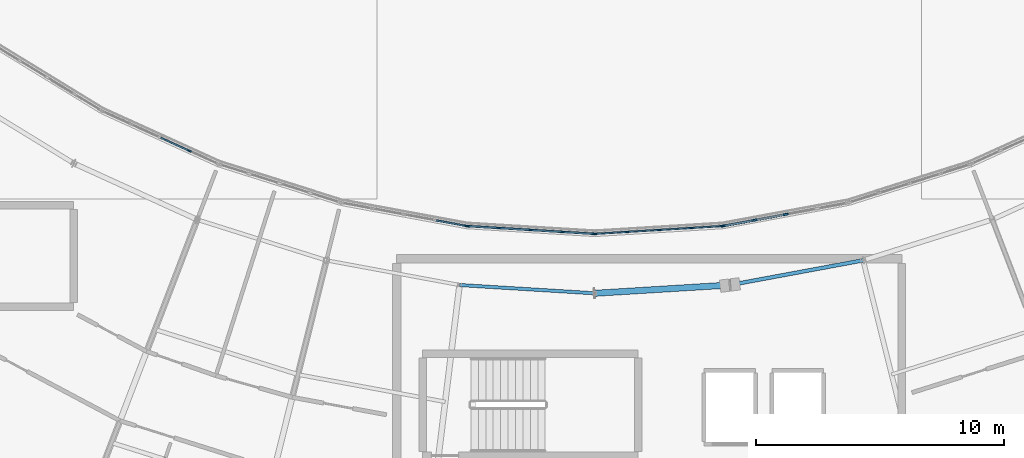
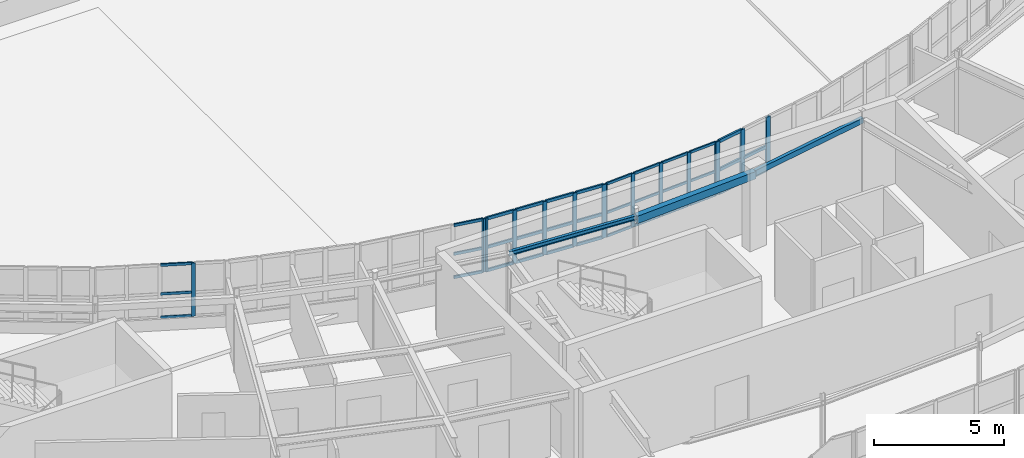
# One storey, part 32 of 128: 50 members, 3 beams, 5 elements without a shape of their own.
"""IFC4 building model written with IfcOpenShell, lengths in metres."""

from ifc_helpers import new_model, si_unit, direction, frame, origin, origin_2d, place, context, subcontext, project, spatial, rectangle, hollow_rectangle, i_section, extrude, material, layer, layer_set, material_profile, profile_set, type_object, element, aggregate, save


model = new_model("IFC4")

# Units and contexts
model_context = context("Model", 3, precision=1e-05, world=origin(), true_north=direction((0.0, 1.0)))
body_context = subcontext(model_context, "Body", "Model", "MODEL_VIEW")
ifc_project = project(units=[si_unit("LENGTHUNIT", "METRE"), si_unit("AREAUNIT", "SQUARE_METRE"), si_unit("VOLUMEUNIT", "CUBIC_METRE"), si_unit("PLANEANGLEUNIT", "RADIAN"), si_unit("MASSUNIT", "GRAM", prefix="KILO")], contexts=[model_context])

# Site, building, storey
site_placement = place(None, origin())
site = spatial("IfcSite", under=ifc_project, at=site_placement, CompositionType="ELEMENT")
building_placement = place(site_placement, origin())
building = spatial("IfcBuilding", under=site, at=building_placement, Name="Tarnwether General Hospital", CompositionType="ELEMENT")
storey_placement = place(building_placement, frame((0.0, 0.0, 14.39990234375)))
storey = spatial("IfcBuildingStorey", under=building, at=storey_placement, Name="L03", CompositionType="ELEMENT", Elevation=14.39990234375)

# Beams
ifc_material_1 = material(Name="Steel Grade 350 (350 MPa)", Category="steel")
ifc_material_profile_1 = material_profile(ifc_material_1, i_section(OverallWidth=0.133056640625, OverallDepth=0.201904296875, WebThickness=0.0048828125, FlangeThickness=0.007080078125, at=origin_2d()), Name="200UB22.3")
ifc_profile_set_1 = profile_set([ifc_material_profile_1], Name="Steel Grade 350 (350 MPa)")
beam_type_1 = type_object("IfcBeamType", Name="BM-SP6", PredefinedType="SPANDREL", material=ifc_profile_set_1)
beam_1_placement = place(storey_placement, frame((86.5400390625, 18.533935546875, 3.458984375), z_axis=(0.998134365538, -0.061055616708, 0.0), x_axis=(0.061055616708, 0.998134365538, 0.0)))
element("IfcBeam", 1, at=beam_1_placement, inside=storey, type_object=beam_type_1, Name="Curved Ward SE Inner Spandrel BMG-L03-8654_1853-9200_1820-2118", PredefinedType="SPANDREL", context=body_context, shape_type="SweptSolid", body=[
    extrude(i_section(OverallWidth=0.133056640625, OverallDepth=0.201904296875, WebThickness=0.0048828125, FlangeThickness=0.007080078125, at=origin_2d()), origin(), (0.0, 0.0, 1.0), 5.47021484375),
])
ifc_material_2 = material(Name="Steel Grade C350L0 (350 MPa)", Category="steel")
ifc_material_profile_2 = material_profile(ifc_material_2, hollow_rectangle(XDim=0.25, YDim=0.35009765625, WallThickness=0.012451171875, at=origin_2d()), Name="RHS350x250x12.5")
ifc_profile_set_2 = profile_set([ifc_material_profile_2], Name="Steel Grade C350L0 (350 MPa)")
beam_type_2 = type_object("IfcBeamType", Name="BM-SP7", PredefinedType="SPANDREL", material=ifc_profile_set_2)
beam_2_placement = place(storey_placement, frame((92.0, 18.199951171875, 3.385009765625), z_axis=(0.998134365538, 0.061055616708, 0.0), x_axis=(-0.061055616708, 0.998134365538, 0.0)))
element("IfcBeam", 2, at=beam_2_placement, inside=storey, type_object=beam_type_2, Name="Curved Ward SE Inner Spandrel BMG-L03-9200_1820-9746_1853-2120", PredefinedType="SPANDREL", context=body_context, shape_type="SweptSolid", body=[
    extrude(hollow_rectangle(XDim=0.25, YDim=0.35009765625, WallThickness=0.012451171875, at=origin_2d()), origin(), (0.0, 0.0, 1.0), 5.47021484375),
])
ifc_material_3 = material(Name="Steel Grade C350L0 (350 MPa)", Category="steel")
ifc_material_profile_3 = material_profile(ifc_material_3, hollow_rectangle(XDim=0.14990234375, YDim=0.25, WallThickness=0.008056640625, at=origin_2d()), Name="RHS250x150x8")
ifc_profile_set_3 = profile_set([ifc_material_profile_3], Name="Steel Grade C350L0 (350 MPa)")
beam_type_3 = type_object("IfcBeamType", Name="BM-SP8", PredefinedType="SPANDREL", material=ifc_profile_set_3)
beam_3_placement = place(storey_placement, frame((97.4599609375, 18.533935546875, 3.43505859375), z_axis=(0.983244096291, 0.18229384825, 0.0), x_axis=(-0.18229384825, 0.983244096291, 0.0)))
element("IfcBeam", 3, at=beam_3_placement, inside=storey, type_object=beam_type_3, Name="Curved Ward SE Inner Spandrel BMG-L03-9746_1853-10284_1953-2122", PredefinedType="SPANDREL", context=body_context, shape_type="SweptSolid", body=[
    extrude(hollow_rectangle(XDim=0.14990234375, YDim=0.25, WallThickness=0.008056640625, at=origin_2d()), origin(), (0.0, 0.0, 1.0), 5.469482421875),
])

# Curtain wall, members
ifc_material_4 = material(Name="Anodised aluminium", Category="aluminium")
ifc_layer = layer(ifc_material_4, 0.159912109375)
ifc_layer_set = layer_set([ifc_layer], Name="Anodised aluminium")
curtain_wall_type = type_object("IfcCurtainWallType", Name="CW-04", PredefinedType="NOTDEFINED", material=ifc_layer_set)
curtain_wall_1_placement = place(storey_placement, origin())
curtain_wall_1 = element("IfcCurtainWall", 4, at=curtain_wall_1_placement, inside=storey, type_object=curtain_wall_type, Name="Curtain Wall CWG-L03-920_206-0174", PredefinedType="NOTDEFINED")
ifc_material_5 = material(Name="Anodised aluminium", Category="aluminium")
ifc_material_profile_4 = material_profile(ifc_material_5, rectangle(XDim=0.06005859375, YDim=0.159912109375, at=origin_2d()), Name="ALU-MUL-60x160")
ifc_profile_set_4 = profile_set([ifc_material_profile_4], Name="Anodised aluminium")
member_type_1 = type_object("IfcMemberType", Name="CW-ML1", PredefinedType="MULLION", material=ifc_profile_set_4)
member_1_placement = place(storey_placement, frame((92.030029296875, 20.601806640625, 1.050048828125), z_axis=(0.0, 0.0, 1.0), x_axis=(-0.06104329354, 0.998135119267, 0.0)))
member_1 = element("IfcMember", 5, at=member_1_placement, type_object=member_type_1, Name="CW-04 mullion 1", PredefinedType="MULLION", context=body_context, shape_type="SweptSolid", body=[
    extrude(rectangle(XDim=0.06005859375, YDim=0.159912109375, at=origin_2d()), origin(), (0.0, 0.0, 1.0), 2.510009765625),
])
member_2_placement = place(storey_placement, frame((93.291748046875, 20.678955078125, 1.050048828125), z_axis=(0.0, 0.0, 1.0), x_axis=(-0.06104329354, 0.998135119267, 0.0)))
member_2 = element("IfcMember", 6, at=member_2_placement, type_object=member_type_1, Name="CW-04 mullion 2", PredefinedType="MULLION", context=body_context, shape_type="SweptSolid", body=[
    extrude(rectangle(XDim=0.06005859375, YDim=0.159912109375, at=origin_2d()), origin(), (0.0, 0.0, 1.0), 2.510009765625),
])
member_3_placement = place(storey_placement, frame((94.58349609375, 20.758056640625, 1.050048828125), z_axis=(0.0, 0.0, 1.0), x_axis=(-0.06104329354, 0.998135119267, 0.0)))
member_3 = element("IfcMember", 7, at=member_3_placement, type_object=member_type_1, Name="CW-04 mullion 3", PredefinedType="MULLION", context=body_context, shape_type="SweptSolid", body=[
    extrude(rectangle(XDim=0.06005859375, YDim=0.159912109375, at=origin_2d()), origin(), (0.0, 0.0, 1.0), 2.510009765625),
])
member_4_placement = place(storey_placement, frame((95.875244140625, 20.8369140625, 1.050048828125), z_axis=(0.0, 0.0, 1.0), x_axis=(-0.06104329354, 0.998135119267, 0.0)))
member_4 = element("IfcMember", 8, at=member_4_placement, type_object=member_type_1, Name="CW-04 mullion 4", PredefinedType="MULLION", context=body_context, shape_type="SweptSolid", body=[
    extrude(rectangle(XDim=0.06005859375, YDim=0.159912109375, at=origin_2d()), origin(), (0.0, 0.0, 1.0), 2.510009765625),
])
member_5_placement = place(storey_placement, frame((97.136962890625, 20.9140625, 1.050048828125), z_axis=(0.0, 0.0, 1.0), x_axis=(-0.06104329354, 0.998135119267, 0.0)))
member_5 = element("IfcMember", 9, at=member_5_placement, type_object=member_type_1, Name="CW-04 mullion 5", PredefinedType="MULLION", context=body_context, shape_type="SweptSolid", body=[
    extrude(rectangle(XDim=0.06005859375, YDim=0.159912109375, at=origin_2d()), origin(), (0.0, 0.0, 1.0), 2.510009765625),
])

# Curtain wall, member
curtain_wall_2_placement = place(storey_placement, origin())
curtain_wall_2 = element("IfcCurtainWall", 10, at=curtain_wall_2_placement, inside=storey, type_object=curtain_wall_type, Name="Curtain Wall CWG-L03-721_256-0178", PredefinedType="NOTDEFINED")
member_6_placement = place(storey_placement, frame((75.627197265625, 23.95263671875, 1.050048828125), z_axis=(0.0, 0.0, 1.0), x_axis=(0.41470501572, 0.90995590549, 0.0)))
member_6 = element("IfcMember", 11, at=member_6_placement, type_object=member_type_1, Name="CW-04 mullion 4", PredefinedType="MULLION", context=body_context, shape_type="SweptSolid", body=[
    extrude(rectangle(XDim=0.06005859375, YDim=0.159912109375, at=origin_2d()), origin(), (0.0, 0.0, 1.0), 2.510009765625),
])

# Curtain wall, members
curtain_wall_3_placement = place(storey_placement, origin())
curtain_wall_3 = element("IfcCurtainWall", 12, at=curtain_wall_3_placement, inside=storey, type_object=curtain_wall_type, Name="Curtain Wall CWG-L03-868_209-0175", PredefinedType="NOTDEFINED")
ifc_material_6 = material(Name="Anodised aluminium", Category="aluminium")
ifc_material_profile_5 = material_profile(ifc_material_6, rectangle(XDim=0.070068359375, YDim=0.179931640625, at=origin_2d()), Name="ALU-MUL-70x180")
ifc_profile_set_5 = profile_set([ifc_material_profile_5], Name="Anodised aluminium")
member_type_2 = type_object("IfcMemberType", Name="CW-ML2", PredefinedType="MULLION", material=ifc_profile_set_5)
member_7_placement = place(storey_placement, frame((86.867919921875, 20.913818359375, 1.050048828125), z_axis=(0.0, 0.0, 1.0), x_axis=(0.06104329354, 0.998135119267, 0.0)))
member_7 = element("IfcMember", 13, at=member_7_placement, type_object=member_type_2, Name="CW-04 mullion 1", PredefinedType="MULLION", context=body_context, shape_type="SweptSolid", body=[
    extrude(rectangle(XDim=0.070068359375, YDim=0.179931640625, at=origin_2d()), origin(), (0.0, 0.0, 1.0), 2.510009765625),
])
member_8_placement = place(storey_placement, frame((88.124755859375, 20.8369140625, 1.050048828125), z_axis=(0.0, 0.0, 1.0), x_axis=(0.06104329354, 0.998135119267, 0.0)))
member_8 = element("IfcMember", 14, at=member_8_placement, type_object=member_type_2, Name="CW-04 mullion 2", PredefinedType="MULLION", context=body_context, shape_type="SweptSolid", body=[
    extrude(rectangle(XDim=0.070068359375, YDim=0.179931640625, at=origin_2d()), origin(), (0.0, 0.0, 1.0), 2.510009765625),
])
member_9_placement = place(storey_placement, frame((89.41650390625, 20.758056640625, 1.050048828125), z_axis=(0.0, 0.0, 1.0), x_axis=(0.06104329354, 0.998135119267, 0.0)))
member_9 = element("IfcMember", 15, at=member_9_placement, type_object=member_type_2, Name="CW-04 mullion 3", PredefinedType="MULLION", context=body_context, shape_type="SweptSolid", body=[
    extrude(rectangle(XDim=0.070068359375, YDim=0.179931640625, at=origin_2d()), origin(), (0.0, 0.0, 1.0), 2.510009765625),
])
member_10_placement = place(storey_placement, frame((90.708251953125, 20.678955078125, 1.050048828125), z_axis=(0.0, 0.0, 1.0), x_axis=(0.06104329354, 0.998135119267, 0.0)))
member_10 = element("IfcMember", 16, at=member_10_placement, type_object=member_type_2, Name="CW-04 mullion 4", PredefinedType="MULLION", context=body_context, shape_type="SweptSolid", body=[
    extrude(rectangle(XDim=0.070068359375, YDim=0.179931640625, at=origin_2d()), origin(), (0.0, 0.0, 1.0), 2.510009765625),
])
member_11_placement = place(storey_placement, frame((91.965087890625, 20.60205078125, 1.050048828125), z_axis=(0.0, 0.0, 1.0), x_axis=(0.06104329354, 0.998135119267, 0.0)))
member_11 = element("IfcMember", 17, at=member_11_placement, type_object=member_type_2, Name="CW-04 mullion 5", PredefinedType="MULLION", context=body_context, shape_type="SweptSolid", body=[
    extrude(rectangle(XDim=0.070068359375, YDim=0.179931640625, at=origin_2d()), origin(), (0.0, 0.0, 1.0), 2.510009765625),
])

# Curtain wall, member
curtain_wall_4_placement = place(storey_placement, origin())
curtain_wall_4 = element("IfcCurtainWall", 18, at=curtain_wall_4_placement, inside=storey, type_object=curtain_wall_type, Name="Curtain Wall CWG-L03-817_219-0176", PredefinedType="NOTDEFINED")
ifc_material_7 = material(Name="Anodised aluminium", Category="aluminium")
ifc_material_profile_6 = material_profile(ifc_material_7, rectangle(XDim=0.06494140625, YDim=0.169921875, at=origin_2d()), Name="ALU-MUL-65x170")
ifc_profile_set_6 = profile_set([ifc_material_profile_6], Name="Anodised aluminium")
member_type_3 = type_object("IfcMemberType", Name="CW-ML3", PredefinedType="MULLION", material=ifc_profile_set_6)
member_12_placement = place(storey_placement, frame((86.801025390625, 20.921875, 1.050048828125), z_axis=(0.0, 0.0, 1.0), x_axis=(0.182165351666, 0.983267910924, 0.0)))
member_12 = element("IfcMember", 19, at=member_12_placement, type_object=member_type_3, Name="CW-04 mullion 5", PredefinedType="MULLION", context=body_context, shape_type="SweptSolid", body=[
    extrude(rectangle(XDim=0.06494140625, YDim=0.169921875, at=origin_2d()), origin(), (0.0, 0.0, 1.0), 2.510009765625),
])

# Curtain wall, members
curtain_wall_5_placement = place(storey_placement, origin())
curtain_wall_5 = element("IfcCurtainWall", 20, at=curtain_wall_5_placement, inside=storey, type_object=curtain_wall_type, Name="Curtain Wall CWG-L03-972_209-0173", PredefinedType="NOTDEFINED")
ifc_material_8 = material(Name="Anodised aluminium", Category="aluminium")
ifc_material_profile_7 = material_profile(ifc_material_8, rectangle(XDim=0.080078125, YDim=0.199951171875, at=origin_2d()), Name="ALU-MUL-80x200")
ifc_profile_set_7 = profile_set([ifc_material_profile_7], Name="Anodised aluminium")
member_type_4 = type_object("IfcMemberType", Name="CW-ML4", PredefinedType="MULLION", material=ifc_profile_set_7)
member_13_placement = place(storey_placement, frame((97.206298828125, 20.92333984375, 1.050048828125), z_axis=(0.0, 0.0, 1.0), x_axis=(-0.182165351666, 0.983267910924, 0.0)))
member_13 = element("IfcMember", 21, at=member_13_placement, type_object=member_type_4, Name="CW-04 mullion 1", PredefinedType="MULLION", context=body_context, shape_type="SweptSolid", body=[
    extrude(rectangle(XDim=0.080078125, YDim=0.199951171875, at=origin_2d()), origin(), (0.0, 0.0, 1.0), 2.510009765625),
])
member_14_placement = place(storey_placement, frame((98.439453125, 21.15185546875, 1.050048828125), z_axis=(0.0, 0.0, 1.0), x_axis=(-0.182165351666, 0.983267910924, 0.0)))
member_14 = element("IfcMember", 22, at=member_14_placement, type_object=member_type_4, Name="CW-04 mullion 2", PredefinedType="MULLION", context=body_context, shape_type="SweptSolid", body=[
    extrude(rectangle(XDim=0.080078125, YDim=0.199951171875, at=origin_2d()), origin(), (0.0, 0.0, 1.0), 2.510009765625),
])
member_15_placement = place(storey_placement, frame((99.7119140625, 21.387451171875, 1.050048828125), z_axis=(0.0, 0.0, 1.0), x_axis=(-0.182165351666, 0.983267910924, 0.0)))
member_15 = element("IfcMember", 23, at=member_15_placement, type_object=member_type_4, Name="CW-04 mullion 3", PredefinedType="MULLION", context=body_context, shape_type="SweptSolid", body=[
    extrude(rectangle(XDim=0.080078125, YDim=0.199951171875, at=origin_2d()), origin(), (0.0, 0.0, 1.0), 2.510009765625),
])

# Member
ifc_material_9 = material(Name="Anodised aluminium", Category="aluminium")
ifc_material_profile_8 = material_profile(ifc_material_9, rectangle(XDim=0.06005859375, YDim=0.1201171875, at=origin_2d()), Name="ALU-TRN-60x120")
ifc_profile_set_8 = profile_set([ifc_material_profile_8], Name="Anodised aluminium")
member_type_5 = type_object("IfcMemberType", Name="CW-TR1", PredefinedType="USERDEFINED", material=ifc_profile_set_8)
member_16_placement = place(storey_placement, frame((92.059814453125, 20.603759765625, 1.080078125), z_axis=(0.998136077867, 0.061027617192, 0.0), x_axis=(-0.061027617192, 0.998136077867, 0.0)))
member_16 = element("IfcMember", 24, at=member_16_placement, type_object=member_type_5, Name="CW-04 transom 1.1", ObjectType="TRANSOM", PredefinedType="USERDEFINED", context=body_context, shape_type="SweptSolid", body=[
    extrude(rectangle(XDim=0.06005859375, YDim=0.1201171875, at=origin_2d()), origin(), (0.0, 0.0, 1.0), 1.2041015625),
])

member_17_placement = place(storey_placement, frame((92.059814453125, 20.603759765625, 2.1796875), z_axis=(0.998136077867, 0.061027617192, 0.0), x_axis=(-0.061027617192, 0.998136077867, 0.0)))
member_17 = element("IfcMember", 25, at=member_17_placement, type_object=member_type_5, Name="CW-04 transom 1.2", ObjectType="TRANSOM", PredefinedType="USERDEFINED", context=body_context, shape_type="SweptSolid", body=[
    extrude(rectangle(XDim=0.06005859375, YDim=0.1201171875, at=origin_2d()), origin(), (0.0, 0.0, 1.0), 1.2041015625),
])

member_18_placement = place(storey_placement, frame((92.059814453125, 20.603759765625, 3.530029296875), z_axis=(0.998136077867, 0.061027617192, 0.0), x_axis=(-0.061027617192, 0.998136077867, 0.0)))
member_18 = element("IfcMember", 26, at=member_18_placement, type_object=member_type_5, Name="CW-04 transom 1.3", ObjectType="TRANSOM", PredefinedType="USERDEFINED", context=body_context, shape_type="SweptSolid", body=[
    extrude(rectangle(XDim=0.06005859375, YDim=0.1201171875, at=origin_2d()), origin(), (0.0, 0.0, 1.0), 1.2041015625),
])

member_19_placement = place(storey_placement, frame((93.32177734375, 20.680908203125, 1.080078125), z_axis=(0.998141608765, 0.060937089296, 0.0), x_axis=(-0.060937089296, 0.998141608765, 0.0)))
member_19 = element("IfcMember", 27, at=member_19_placement, type_object=member_type_5, Name="CW-04 transom 2.1", ObjectType="TRANSOM", PredefinedType="USERDEFINED", context=body_context, shape_type="SweptSolid", body=[
    extrude(rectangle(XDim=0.06005859375, YDim=0.1201171875, at=origin_2d()), origin(), (0.0, 0.0, 1.0), 1.23388671875),
])

member_20_placement = place(storey_placement, frame((93.32177734375, 20.680908203125, 2.1796875), z_axis=(0.998141608765, 0.060937089296, 0.0), x_axis=(-0.060937089296, 0.998141608765, 0.0)))
member_20 = element("IfcMember", 28, at=member_20_placement, type_object=member_type_5, Name="CW-04 transom 2.2", ObjectType="TRANSOM", PredefinedType="USERDEFINED", context=body_context, shape_type="SweptSolid", body=[
    extrude(rectangle(XDim=0.06005859375, YDim=0.1201171875, at=origin_2d()), origin(), (0.0, 0.0, 1.0), 1.23388671875),
])

member_21_placement = place(storey_placement, frame((93.32177734375, 20.680908203125, 3.530029296875), z_axis=(0.998141608765, 0.060937089296, 0.0), x_axis=(-0.060937089296, 0.998141608765, 0.0)))
member_21 = element("IfcMember", 29, at=member_21_placement, type_object=member_type_5, Name="CW-04 transom 2.3", ObjectType="TRANSOM", PredefinedType="USERDEFINED", context=body_context, shape_type="SweptSolid", body=[
    extrude(rectangle(XDim=0.06005859375, YDim=0.1201171875, at=origin_2d()), origin(), (0.0, 0.0, 1.0), 1.23388671875),
])

member_22_placement = place(storey_placement, frame((94.613525390625, 20.759765625, 1.080078125), z_axis=(0.998129555591, 0.061134198747, 0.0), x_axis=(-0.061134198747, 0.998129555591, 0.0)))
member_22 = element("IfcMember", 30, at=member_22_placement, type_object=member_type_5, Name="CW-04 transom 3.1", ObjectType="TRANSOM", PredefinedType="USERDEFINED", context=body_context, shape_type="SweptSolid", body=[
    extrude(rectangle(XDim=0.06005859375, YDim=0.1201171875, at=origin_2d()), origin(), (0.0, 0.0, 1.0), 1.23388671875),
])

member_23_placement = place(storey_placement, frame((94.613525390625, 20.759765625, 2.1796875), z_axis=(0.998129555591, 0.061134198747, 0.0), x_axis=(-0.061134198747, 0.998129555591, 0.0)))
member_23 = element("IfcMember", 31, at=member_23_placement, type_object=member_type_5, Name="CW-04 transom 3.2", ObjectType="TRANSOM", PredefinedType="USERDEFINED", context=body_context, shape_type="SweptSolid", body=[
    extrude(rectangle(XDim=0.06005859375, YDim=0.1201171875, at=origin_2d()), origin(), (0.0, 0.0, 1.0), 1.23388671875),
])

member_24_placement = place(storey_placement, frame((94.613525390625, 20.759765625, 3.530029296875), z_axis=(0.998129555591, 0.061134198747, 0.0), x_axis=(-0.061134198747, 0.998129555591, 0.0)))
member_24 = element("IfcMember", 32, at=member_24_placement, type_object=member_type_5, Name="CW-04 transom 3.3", ObjectType="TRANSOM", PredefinedType="USERDEFINED", context=body_context, shape_type="SweptSolid", body=[
    extrude(rectangle(XDim=0.06005859375, YDim=0.1201171875, at=origin_2d()), origin(), (0.0, 0.0, 1.0), 1.23388671875),
])

member_25_placement = place(storey_placement, frame((95.9052734375, 20.8388671875, 1.080078125), z_axis=(0.998136077867, 0.061027617192, 0.0), x_axis=(-0.061027617192, 0.998136077867, 0.0)))
member_25 = element("IfcMember", 33, at=member_25_placement, type_object=member_type_5, Name="CW-04 transom 4.1", ObjectType="TRANSOM", PredefinedType="USERDEFINED", context=body_context, shape_type="SweptSolid", body=[
    extrude(rectangle(XDim=0.06005859375, YDim=0.1201171875, at=origin_2d()), origin(), (0.0, 0.0, 1.0), 1.2041015625),
])

member_26_placement = place(storey_placement, frame((95.9052734375, 20.8388671875, 2.1796875), z_axis=(0.998136077867, 0.061027617192, 0.0), x_axis=(-0.061027617192, 0.998136077867, 0.0)))
member_26 = element("IfcMember", 34, at=member_26_placement, type_object=member_type_5, Name="CW-04 transom 4.2", ObjectType="TRANSOM", PredefinedType="USERDEFINED", context=body_context, shape_type="SweptSolid", body=[
    extrude(rectangle(XDim=0.06005859375, YDim=0.1201171875, at=origin_2d()), origin(), (0.0, 0.0, 1.0), 1.2041015625),
])

member_27_placement = place(storey_placement, frame((95.9052734375, 20.8388671875, 3.530029296875), z_axis=(0.998136077867, 0.061027617192, 0.0), x_axis=(-0.061027617192, 0.998136077867, 0.0)))
member_27 = element("IfcMember", 35, at=member_27_placement, type_object=member_type_5, Name="CW-04 transom 4.3", ObjectType="TRANSOM", PredefinedType="USERDEFINED", context=body_context, shape_type="SweptSolid", body=[
    extrude(rectangle(XDim=0.06005859375, YDim=0.1201171875, at=origin_2d()), origin(), (0.0, 0.0, 1.0), 1.2041015625),
])

aggregate(curtain_wall_1, [member_1, member_2, member_3, member_4, member_5, member_16, member_17, member_18, member_19, member_20, member_21, member_22, member_23, member_24, member_25, member_26, member_27])

member_28_placement = place(storey_placement, frame((74.476806640625, 24.47705078125, 1.080078125), z_axis=(0.909912057704, -0.414801214132, 0.0), x_axis=(0.414801214132, 0.909912057704, 0.0)))
member_28 = element("IfcMember", 36, at=member_28_placement, type_object=member_type_5, Name="CW-04 transom 3.1", ObjectType="TRANSOM", PredefinedType="USERDEFINED", context=body_context, shape_type="SweptSolid", body=[
    extrude(rectangle(XDim=0.06005859375, YDim=0.1201171875, at=origin_2d()), origin(), (0.0, 0.0, 1.0), 1.234130859375),
])

member_29_placement = place(storey_placement, frame((74.476806640625, 24.47705078125, 2.1796875), z_axis=(0.909912057704, -0.414801214132, 0.0), x_axis=(0.414801214132, 0.909912057704, 0.0)))
member_29 = element("IfcMember", 37, at=member_29_placement, type_object=member_type_5, Name="CW-04 transom 3.2", ObjectType="TRANSOM", PredefinedType="USERDEFINED", context=body_context, shape_type="SweptSolid", body=[
    extrude(rectangle(XDim=0.06005859375, YDim=0.1201171875, at=origin_2d()), origin(), (0.0, 0.0, 1.0), 1.234130859375),
])

member_30_placement = place(storey_placement, frame((74.476806640625, 24.47705078125, 3.530029296875), z_axis=(0.909912057704, -0.414801214132, 0.0), x_axis=(0.414801214132, 0.909912057704, 0.0)))
member_30 = element("IfcMember", 38, at=member_30_placement, type_object=member_type_5, Name="CW-04 transom 3.3", ObjectType="TRANSOM", PredefinedType="USERDEFINED", context=body_context, shape_type="SweptSolid", body=[
    extrude(rectangle(XDim=0.06005859375, YDim=0.1201171875, at=origin_2d()), origin(), (0.0, 0.0, 1.0), 1.234130859375),
])

aggregate(curtain_wall_2, [member_6, member_28, member_29, member_30])

ifc_material_10 = material(Name="Anodised aluminium", Category="aluminium")
ifc_material_profile_9 = material_profile(ifc_material_10, rectangle(XDim=0.070068359375, YDim=0.139892578125, at=origin_2d()), Name="ALU-TRN-70x140")
ifc_profile_set_9 = profile_set([ifc_material_profile_9], Name="Anodised aluminium")
member_type_6 = type_object("IfcMemberType", Name="CW-TR2", PredefinedType="USERDEFINED", material=ifc_profile_set_9)
member_31_placement = place(storey_placement, frame((86.90283203125, 20.91162109375, 1.085205078125), z_axis=(0.9981394573, -0.06097231979, 0.0), x_axis=(0.06097231979, 0.9981394573, 0.0)))
member_31 = element("IfcMember", 39, at=member_31_placement, type_object=member_type_6, Name="CW-04 transom 1.1", ObjectType="TRANSOM", PredefinedType="USERDEFINED", context=body_context, shape_type="SweptSolid", body=[
    extrude(rectangle(XDim=0.070068359375, YDim=0.139892578125, at=origin_2d()), origin(), (0.0, 0.0, 1.0), 1.189208984375),
])

member_32_placement = place(storey_placement, frame((86.90283203125, 20.91162109375, 2.1796875), z_axis=(0.9981394573, -0.06097231979, 0.0), x_axis=(0.06097231979, 0.9981394573, 0.0)))
member_32 = element("IfcMember", 40, at=member_32_placement, type_object=member_type_6, Name="CW-04 transom 1.2", ObjectType="TRANSOM", PredefinedType="USERDEFINED", context=body_context, shape_type="SweptSolid", body=[
    extrude(rectangle(XDim=0.070068359375, YDim=0.139892578125, at=origin_2d()), origin(), (0.0, 0.0, 1.0), 1.189208984375),
])

member_33_placement = place(storey_placement, frame((86.90283203125, 20.91162109375, 3.525146484375), z_axis=(0.9981394573, -0.06097231979, 0.0), x_axis=(0.06097231979, 0.9981394573, 0.0)))
member_33 = element("IfcMember", 41, at=member_33_placement, type_object=member_type_6, Name="CW-04 transom 1.3", ObjectType="TRANSOM", PredefinedType="USERDEFINED", context=body_context, shape_type="SweptSolid", body=[
    extrude(rectangle(XDim=0.070068359375, YDim=0.139892578125, at=origin_2d()), origin(), (0.0, 0.0, 1.0), 1.189208984375),
])

member_34_placement = place(storey_placement, frame((88.15966796875, 20.8349609375, 1.085205078125), z_axis=(0.998136243192, -0.06102491317, 0.0), x_axis=(0.06102491317, 0.998136243192, 0.0)))
member_34 = element("IfcMember", 42, at=member_34_placement, type_object=member_type_6, Name="CW-04 transom 2.1", ObjectType="TRANSOM", PredefinedType="USERDEFINED", context=body_context, shape_type="SweptSolid", body=[
    extrude(rectangle(XDim=0.070068359375, YDim=0.139892578125, at=origin_2d()), origin(), (0.0, 0.0, 1.0), 1.22412109375),
])

member_35_placement = place(storey_placement, frame((88.15966796875, 20.8349609375, 2.1796875), z_axis=(0.998136243192, -0.06102491317, 0.0), x_axis=(0.06102491317, 0.998136243192, 0.0)))
member_35 = element("IfcMember", 43, at=member_35_placement, type_object=member_type_6, Name="CW-04 transom 2.2", ObjectType="TRANSOM", PredefinedType="USERDEFINED", context=body_context, shape_type="SweptSolid", body=[
    extrude(rectangle(XDim=0.070068359375, YDim=0.139892578125, at=origin_2d()), origin(), (0.0, 0.0, 1.0), 1.22412109375),
])

member_36_placement = place(storey_placement, frame((88.15966796875, 20.8349609375, 3.525146484375), z_axis=(0.998136243192, -0.06102491317, 0.0), x_axis=(0.06102491317, 0.998136243192, 0.0)))
member_36 = element("IfcMember", 44, at=member_36_placement, type_object=member_type_6, Name="CW-04 transom 2.3", ObjectType="TRANSOM", PredefinedType="USERDEFINED", context=body_context, shape_type="SweptSolid", body=[
    extrude(rectangle(XDim=0.070068359375, YDim=0.139892578125, at=origin_2d()), origin(), (0.0, 0.0, 1.0), 1.22412109375),
])

member_37_placement = place(storey_placement, frame((89.451416015625, 20.755859375, 1.085205078125), z_axis=(0.998136243192, -0.06102491317, 0.0), x_axis=(0.06102491317, 0.998136243192, 0.0)))
member_37 = element("IfcMember", 45, at=member_37_placement, type_object=member_type_6, Name="CW-04 transom 3.1", ObjectType="TRANSOM", PredefinedType="USERDEFINED", context=body_context, shape_type="SweptSolid", body=[
    extrude(rectangle(XDim=0.070068359375, YDim=0.139892578125, at=origin_2d()), origin(), (0.0, 0.0, 1.0), 1.22412109375),
])

member_38_placement = place(storey_placement, frame((89.451416015625, 20.755859375, 2.1796875), z_axis=(0.998136243192, -0.06102491317, 0.0), x_axis=(0.06102491317, 0.998136243192, 0.0)))
member_38 = element("IfcMember", 46, at=member_38_placement, type_object=member_type_6, Name="CW-04 transom 3.2", ObjectType="TRANSOM", PredefinedType="USERDEFINED", context=body_context, shape_type="SweptSolid", body=[
    extrude(rectangle(XDim=0.070068359375, YDim=0.139892578125, at=origin_2d()), origin(), (0.0, 0.0, 1.0), 1.22412109375),
])

member_39_placement = place(storey_placement, frame((89.451416015625, 20.755859375, 3.525146484375), z_axis=(0.998136243192, -0.06102491317, 0.0), x_axis=(0.06102491317, 0.998136243192, 0.0)))
member_39 = element("IfcMember", 47, at=member_39_placement, type_object=member_type_6, Name="CW-04 transom 3.3", ObjectType="TRANSOM", PredefinedType="USERDEFINED", context=body_context, shape_type="SweptSolid", body=[
    extrude(rectangle(XDim=0.070068359375, YDim=0.139892578125, at=origin_2d()), origin(), (0.0, 0.0, 1.0), 1.22412109375),
])

member_40_placement = place(storey_placement, frame((90.7431640625, 20.6767578125, 1.085205078125), z_axis=(0.9981394573, -0.06097231979, 0.0), x_axis=(0.06097231979, 0.9981394573, 0.0)))
member_40 = element("IfcMember", 48, at=member_40_placement, type_object=member_type_6, Name="CW-04 transom 4.1", ObjectType="TRANSOM", PredefinedType="USERDEFINED", context=body_context, shape_type="SweptSolid", body=[
    extrude(rectangle(XDim=0.070068359375, YDim=0.139892578125, at=origin_2d()), origin(), (0.0, 0.0, 1.0), 1.189208984375),
])

member_41_placement = place(storey_placement, frame((90.7431640625, 20.6767578125, 2.1796875), z_axis=(0.9981394573, -0.06097231979, 0.0), x_axis=(0.06097231979, 0.9981394573, 0.0)))
member_41 = element("IfcMember", 49, at=member_41_placement, type_object=member_type_6, Name="CW-04 transom 4.2", ObjectType="TRANSOM", PredefinedType="USERDEFINED", context=body_context, shape_type="SweptSolid", body=[
    extrude(rectangle(XDim=0.070068359375, YDim=0.139892578125, at=origin_2d()), origin(), (0.0, 0.0, 1.0), 1.189208984375),
])

member_42_placement = place(storey_placement, frame((90.7431640625, 20.6767578125, 3.525146484375), z_axis=(0.9981394573, -0.06097231979, 0.0), x_axis=(0.06097231979, 0.9981394573, 0.0)))
member_42 = element("IfcMember", 50, at=member_42_placement, type_object=member_type_6, Name="CW-04 transom 4.3", ObjectType="TRANSOM", PredefinedType="USERDEFINED", context=body_context, shape_type="SweptSolid", body=[
    extrude(rectangle(XDim=0.070068359375, YDim=0.139892578125, at=origin_2d()), origin(), (0.0, 0.0, 1.0), 1.189208984375),
])

aggregate(curtain_wall_3, [member_7, member_8, member_9, member_10, member_11, member_31, member_32, member_33, member_34, member_35, member_36, member_37, member_38, member_39, member_40, member_41, member_42])

ifc_material_11 = material(Name="Anodised aluminium", Category="aluminium")
ifc_material_profile_10 = material_profile(ifc_material_11, rectangle(XDim=0.06494140625, YDim=0.1298828125, at=origin_2d()), Name="ALU-TRN-65x130")
ifc_profile_set_10 = profile_set([ifc_material_profile_10], Name="Anodised aluminium")
member_type_7 = type_object("IfcMemberType", Name="CW-TR3", PredefinedType="USERDEFINED", material=ifc_profile_set_10)
member_43_placement = place(storey_placement, frame((85.592529296875, 21.145751953125, 1.08251953125), z_axis=(0.983260349414, -0.18220616145, 0.0), x_axis=(0.18220616145, 0.983260349414, 0.0)))
member_43 = element("IfcMember", 51, at=member_43_placement, type_object=member_type_7, Name="CW-04 transom 4.1", ObjectType="TRANSOM", PredefinedType="USERDEFINED", context=body_context, shape_type="SweptSolid", body=[
    extrude(rectangle(XDim=0.06494140625, YDim=0.1298828125, at=origin_2d()), origin(), (0.0, 0.0, 1.0), 1.196533203125),
])

member_44_placement = place(storey_placement, frame((85.592529296875, 21.145751953125, 2.1796875), z_axis=(0.983260349414, -0.18220616145, 0.0), x_axis=(0.18220616145, 0.983260349414, 0.0)))
member_44 = element("IfcMember", 52, at=member_44_placement, type_object=member_type_7, Name="CW-04 transom 4.2", ObjectType="TRANSOM", PredefinedType="USERDEFINED", context=body_context, shape_type="SweptSolid", body=[
    extrude(rectangle(XDim=0.06494140625, YDim=0.1298828125, at=origin_2d()), origin(), (0.0, 0.0, 1.0), 1.196533203125),
])

member_45_placement = place(storey_placement, frame((85.592529296875, 21.145751953125, 3.527587890625), z_axis=(0.983260349414, -0.18220616145, 0.0), x_axis=(0.18220616145, 0.983260349414, 0.0)))
member_45 = element("IfcMember", 53, at=member_45_placement, type_object=member_type_7, Name="CW-04 transom 4.3", ObjectType="TRANSOM", PredefinedType="USERDEFINED", context=body_context, shape_type="SweptSolid", body=[
    extrude(rectangle(XDim=0.06494140625, YDim=0.1298828125, at=origin_2d()), origin(), (0.0, 0.0, 1.0), 1.196533203125),
])

aggregate(curtain_wall_4, [member_12, member_43, member_44, member_45])

ifc_material_12 = material(Name="Anodised aluminium", Category="aluminium")
ifc_material_profile_11 = material_profile(ifc_material_12, rectangle(XDim=0.080078125, YDim=0.14990234375, at=origin_2d()), Name="ALU-TRN-80x150")
ifc_profile_set_11 = profile_set([ifc_material_profile_11], Name="Anodised aluminium")
member_type_8 = type_object("IfcMemberType", Name="CW-TR4", PredefinedType="USERDEFINED", material=ifc_profile_set_11)
member_46_placement = place(storey_placement, frame((97.24560546875, 20.9306640625, 1.090087890625), z_axis=(0.983272351961, 0.182141378794, 0.0), x_axis=(-0.182141378794, 0.983272351961, 0.0)))
member_46 = element("IfcMember", 54, at=member_46_placement, type_object=member_type_8, Name="CW-04 transom 1.1", ObjectType="TRANSOM", PredefinedType="USERDEFINED", context=body_context, shape_type="SweptSolid", body=[
    extrude(rectangle(XDim=0.080078125, YDim=0.14990234375, at=origin_2d()), origin(), (0.0, 0.0, 1.0), 1.174072265625),
])

member_47_placement = place(storey_placement, frame((97.24560546875, 20.9306640625, 2.1796875), z_axis=(0.983272351961, 0.182141378794, 0.0), x_axis=(-0.182141378794, 0.983272351961, 0.0)))
member_47 = element("IfcMember", 55, at=member_47_placement, type_object=member_type_8, Name="CW-04 transom 1.2", ObjectType="TRANSOM", PredefinedType="USERDEFINED", context=body_context, shape_type="SweptSolid", body=[
    extrude(rectangle(XDim=0.080078125, YDim=0.14990234375, at=origin_2d()), origin(), (0.0, 0.0, 1.0), 1.174072265625),
])

member_48_placement = place(storey_placement, frame((97.24560546875, 20.9306640625, 3.52001953125), z_axis=(0.983272351961, 0.182141378794, 0.0), x_axis=(-0.182141378794, 0.983272351961, 0.0)))
member_48 = element("IfcMember", 56, at=member_48_placement, type_object=member_type_8, Name="CW-04 transom 1.3", ObjectType="TRANSOM", PredefinedType="USERDEFINED", context=body_context, shape_type="SweptSolid", body=[
    extrude(rectangle(XDim=0.080078125, YDim=0.14990234375, at=origin_2d()), origin(), (0.0, 0.0, 1.0), 1.174072265625),
])

member_49_placement = place(storey_placement, frame((98.478759765625, 21.158935546875, 1.090087890625), z_axis=(0.983266000374, 0.182175663873, 0.0), x_axis=(-0.182175663873, 0.983266000374, 0.0)))
member_49 = element("IfcMember", 57, at=member_49_placement, type_object=member_type_8, Name="CW-04 transom 2.1", ObjectType="TRANSOM", PredefinedType="USERDEFINED", context=body_context, shape_type="SweptSolid", body=[
    extrude(rectangle(XDim=0.080078125, YDim=0.14990234375, at=origin_2d()), origin(), (0.0, 0.0, 1.0), 1.214111328125),
])

member_50_placement = place(storey_placement, frame((98.478759765625, 21.158935546875, 2.1796875), z_axis=(0.983266000374, 0.182175663873, 0.0), x_axis=(-0.182175663873, 0.983266000374, 0.0)))
member_50 = element("IfcMember", 58, at=member_50_placement, type_object=member_type_8, Name="CW-04 transom 2.2", ObjectType="TRANSOM", PredefinedType="USERDEFINED", context=body_context, shape_type="SweptSolid", body=[
    extrude(rectangle(XDim=0.080078125, YDim=0.14990234375, at=origin_2d()), origin(), (0.0, 0.0, 1.0), 1.214111328125),
])

aggregate(curtain_wall_5, [member_13, member_14, member_15, member_46, member_47, member_48, member_49, member_50])

save(model, "model.ifc")
